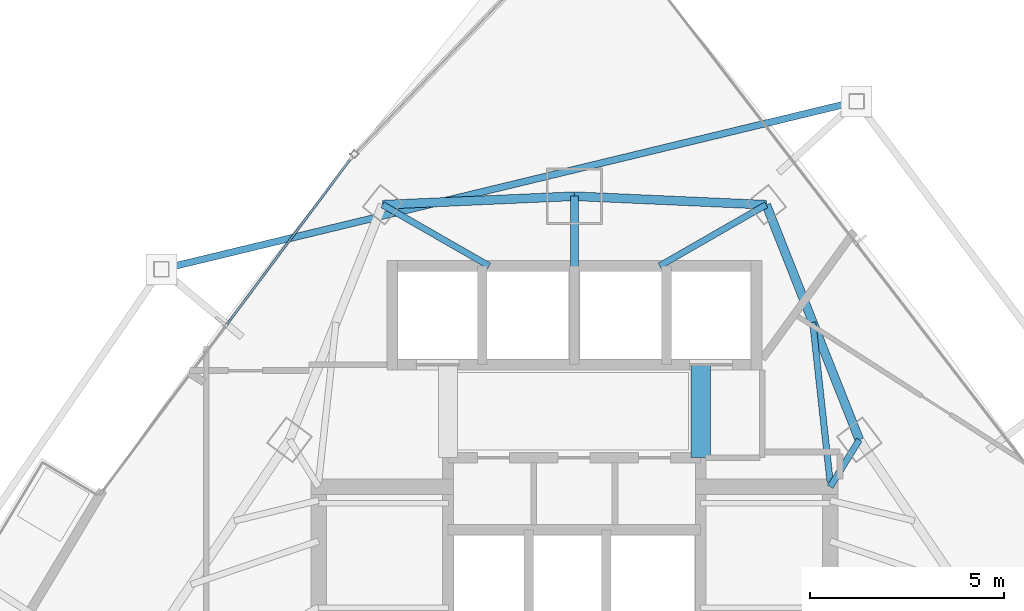
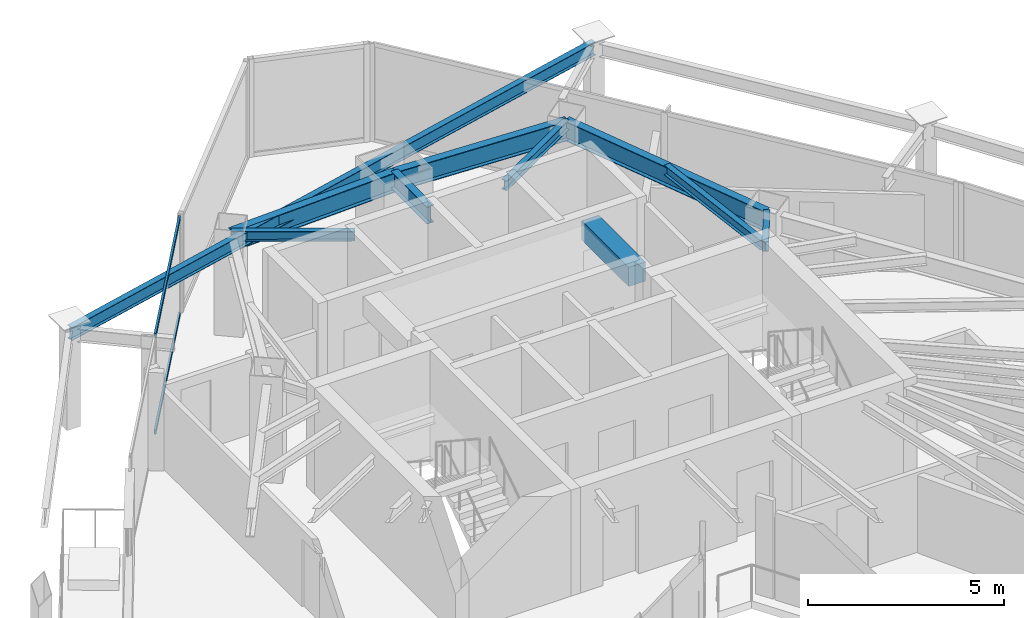
# One storey, part 20 of 29: 10 beams, 2 members, 1 element without a shape of its own.
"""IFC4 building model written with IfcOpenShell, lengths in metres."""

from ifc_helpers import new_model, si_unit, direction, frame, origin, origin_2d, place, context, subcontext, project, spatial, rectangle, hollow_rectangle, i_section, extrude, material, layer, layer_set, material_profile, profile_set, type_object, element, aggregate, save


model = new_model("IFC4")

# Units and contexts
model_context = context("Model", 3, precision=1e-05, world=origin(), true_north=direction((0.0, 1.0)))
body_context = subcontext(model_context, "Body", "Model", "MODEL_VIEW")
ifc_project = project(units=[si_unit("LENGTHUNIT", "METRE"), si_unit("AREAUNIT", "SQUARE_METRE"), si_unit("VOLUMEUNIT", "CUBIC_METRE"), si_unit("PLANEANGLEUNIT", "RADIAN"), si_unit("MASSUNIT", "GRAM", prefix="KILO")], contexts=[model_context])

# Site, building, storey
site_placement = place(None, origin())
site = spatial("IfcSite", under=ifc_project, at=site_placement, CompositionType="ELEMENT")
building_placement = place(site_placement, origin())
building = spatial("IfcBuilding", under=site, at=building_placement, Name="Orvanel Arch Residences", CompositionType="ELEMENT")
storey_placement = place(building_placement, frame((0.0, 0.0, 177.050048828125)))
storey = spatial("IfcBuildingStorey", under=building, at=storey_placement, Name="L50", CompositionType="ELEMENT", Elevation=177.050048828125)

# Beams
ifc_material_1 = material(Name="Structural steel AS/NZS 3679.1 Grade 300 (300 MPa)", Category="steel")
ifc_material_profile_1 = material_profile(ifc_material_1, i_section(OverallWidth=0.208984375, OverallDepth=0.532958984375, WebThickness=0.01025390625, FlangeThickness=0.015625, at=origin_2d()), Name="530UB92.4")
ifc_profile_set_1 = profile_set([ifc_material_profile_1], Name="Structural steel AS/NZS 3679.1 Grade 300 (300 MPa)")
beam_type_1 = type_object("IfcBeamType", Name="BG-530UB", PredefinedType="BEAM", material=ifc_profile_set_1)
beam_1_placement = place(storey_placement, frame((33.0, 39.550048828125, 2.7939453125), z_axis=(0.0, 1.0, 0.0), x_axis=(-1.0, 0.0, 0.0)))
element("IfcBeam", 1, at=beam_1_placement, inside=storey, type_object=beam_type_1, Name="L50 North Radial Girder", PredefinedType="BEAM", context=body_context, shape_type="SweptSolid", body=[
    extrude(i_section(OverallWidth=0.208984375, OverallDepth=0.532958984375, WebThickness=0.01025390625, FlangeThickness=0.015625, at=origin_2d()), origin(), (0.0, 0.0, 1.0), 1.847900390625),
])
ifc_material_profile_2 = material_profile(ifc_material_1, i_section(OverallWidth=0.1650390625, OverallDepth=0.303955078125, WebThickness=0.006103515625, FlangeThickness=0.01025390625, at=origin_2d()), Name="310UB40.4")
ifc_profile_set_2 = profile_set([ifc_material_profile_2], Name="Structural steel AS/NZS 3679.1 Grade 300 (300 MPa)")
beam_type_2 = type_object("IfcBeamType", Name="BJ-310UB", PredefinedType="JOIST", material=ifc_profile_set_2)
beam_2_placement = place(storey_placement, frame((39.60009765625, 33.89990234375, 2.907958984375), z_axis=(0.526843290616, 0.84996243866, 0.0), x_axis=(-0.84996243866, 0.526843290616, 0.0)))
element("IfcBeam", 2, at=beam_2_placement, inside=storey, type_object=beam_type_2, Name="L50 NNE Wing Floor Joist", PredefinedType="JOIST", context=body_context, shape_type="SweptSolid", body=[
    extrude(i_section(OverallWidth=0.1650390625, OverallDepth=0.303955078125, WebThickness=0.006103515625, FlangeThickness=0.01025390625, at=origin_2d()), origin(), (0.0, 0.0, 1.0), 1.42724609375),
])
beam_3_placement = place(storey_placement, frame((39.60009765625, 34.02001953125, 2.907958984375), z_axis=(-0.108261441852, 0.99412245735, 0.0), x_axis=(-0.99412245735, -0.108261441852, 0.0)))
element("IfcBeam", 3, at=beam_3_placement, inside=storey, type_object=beam_type_2, Name="L50 NNE2 Wing Floor Joist", PredefinedType="JOIST", context=body_context, shape_type="SweptSolid", body=[
    extrude(i_section(OverallWidth=0.1650390625, OverallDepth=0.303955078125, WebThickness=0.006103515625, FlangeThickness=0.01025390625, at=origin_2d()), origin(), (0.0, 0.0, 1.0), 4.1494140625),
])
for number, where, z_axis, x_axis, name in (
    (4, (30.800048828125, 39.60009765625, 2.907958984375), (-0.86736513383, 0.497672306458, 0.0), (-0.497672306458, -0.86736513383, 0.0), "L50 MNW Wing Floor Joist"),
    (5, (35.199951171875, 39.60009765625, 2.907958984375), (0.86736513383, 0.497672306458, 0.0), (-0.497672306458, 0.86736513383, 0.0), "L50 MNE Wing Floor Joist"),
):
    element("IfcBeam", number, at=place(storey_placement, frame(where, z_axis=z_axis, x_axis=x_axis)), inside=storey, type_object=beam_type_2, Name=name, PredefinedType="JOIST", context=body_context, shape_type="SweptSolid", body=[
        extrude(i_section(OverallWidth=0.1650390625, OverallDepth=0.303955078125, WebThickness=0.006103515625, FlangeThickness=0.01025390625, at=origin_2d()), origin(), (0.0, 0.0, 1.0), 3.17041015625),
    ])
ifc_material_2 = material(Name="Concrete S65 (65 MPa)", Category="concrete")
ifc_material_profile_3 = material_profile(ifc_material_2, rectangle(XDim=0.5, YDim=0.60009765625, at=origin_2d()), Name="RC500x600")
ifc_profile_set_3 = profile_set([ifc_material_profile_3], Name="Concrete S65 (65 MPa)")
beam_type_3 = type_object("IfcBeamType", Name="CB-500x600", PredefinedType="LINTEL", material=ifc_profile_set_3)
beam_4_placement = place(storey_placement, frame((36.260009765625, 34.64990234375, 2.760009765625), z_axis=(0.0, 1.0, 0.0), x_axis=(-1.0, 0.0, 0.0)))
element("IfcBeam", 6, at=beam_4_placement, inside=storey, type_object=beam_type_3, Name="L50 East Core Lobby Coupling Lintel Beam", PredefinedType="LINTEL", context=body_context, shape_type="SweptSolid", body=[
    extrude(rectangle(XDim=0.5, YDim=0.60009765625, at=origin_2d()), origin(), (0.0, 0.0, 1.0), 2.400146484375),
])
ifc_material_profile_4 = material_profile(ifc_material_1, i_section(OverallWidth=0.177978515625, OverallDepth=0.406005859375, WebThickness=0.0078125, FlangeThickness=0.0126953125, at=origin_2d()), Name="410UB59.7")
ifc_profile_set_4 = profile_set([ifc_material_profile_4], Name="Structural steel AS/NZS 3679.1 Grade 300 (300 MPa)")
beam_type_4 = type_object("IfcBeamType", Name="OB-410UB-EXT", PredefinedType="SPANDREL", material=ifc_profile_set_4)
beam_5_placement = place(storey_placement, frame((40.281982421875, 43.843994140625, 2.85693359375), z_axis=(-0.972058271966, -0.23473967688, 0.0), x_axis=(0.23473967688, -0.972058271966, 0.0)))
element("IfcBeam", 7, at=beam_5_placement, inside=storey, type_object=beam_type_4, Name="L50 Outer Perimeter Floor Ring Beam 12", PredefinedType="SPANDREL", context=body_context, shape_type="SweptSolid", body=[
    extrude(i_section(OverallWidth=0.177978515625, OverallDepth=0.406005859375, WebThickness=0.0078125, FlangeThickness=0.0126953125, at=origin_2d()), origin(), (0.0, 0.0, 1.0), 18.45458984375),
])
ifc_material_profile_5 = material_profile(ifc_material_1, i_section(OverallWidth=0.22900390625, OverallDepth=0.612060546875, WebThickness=0.011962890625, FlangeThickness=0.01953125, at=origin_2d()), Name="610UB125")
ifc_profile_set_5 = profile_set([ifc_material_profile_5], Name="Structural steel AS/NZS 3679.1 Grade 300 (300 MPa)")
beam_type_5 = type_object("IfcBeamType", Name="SP-610UB", PredefinedType="SPANDREL", material=ifc_profile_set_5)
beam_6_placement = place(storey_placement, frame((40.35205078125, 35.113037109375, 2.75390625), z_axis=(-0.368233143579, 0.929733484376, 0.0), x_axis=(-0.929733484376, -0.368233143579, 0.0)))
element("IfcBeam", 8, at=beam_6_placement, inside=storey, type_object=beam_type_5, Name="L50 Perimeter Spandrel Beam 13", PredefinedType="SPANDREL", context=body_context, shape_type="SweptSolid", body=[
    extrude(i_section(OverallWidth=0.22900390625, OverallDepth=0.612060546875, WebThickness=0.011962890625, FlangeThickness=0.01953125, at=origin_2d()), origin(), (0.0, 0.0, 1.0), 6.523193359375),
])
for number, where, z_axis, x_axis, name in (
    (9, (37.949951171875, 41.177978515625, 2.75390625), (-0.999014049296, 0.044395149614, 0.0), (-0.044395149614, -0.999014049296, 0.0), "L50 Perimeter Spandrel Beam 14"),
    (10, (33.0, 41.39794921875, 2.75390625), (-0.999014049296, -0.044395149614, 0.0), (0.044395149614, -0.999014049296, 0.0), "L50 Perimeter Spandrel Beam 15"),
):
    element("IfcBeam", number, at=place(storey_placement, frame(where, z_axis=z_axis, x_axis=x_axis)), inside=storey, type_object=beam_type_5, Name=name, PredefinedType="SPANDREL", context=body_context, shape_type="SweptSolid", body=[
        extrude(i_section(OverallWidth=0.22900390625, OverallDepth=0.612060546875, WebThickness=0.011962890625, FlangeThickness=0.01953125, at=origin_2d()), origin(), (0.0, 0.0, 1.0), 4.954833984375),
    ])

# Curtain wall, members
ifc_material_3 = material(Name="Bronze-anodised aluminium AA6063-T6", Category="aluminium")
ifc_layer = layer(ifc_material_3, 0.179931640625)
ifc_layer_set = layer_set([ifc_layer], Name="Bronze-anodised aluminium AA6063-T6")
curtain_wall_type = type_object("IfcCurtainWallType", Name="CW3-MID-SYS", PredefinedType="NOTDEFINED", material=ifc_layer_set)
curtain_wall_placement = place(storey_placement, origin())
curtain_wall = element("IfcCurtainWall", 11, at=curtain_wall_placement, inside=storey, type_object=curtain_wall_type, Name="L50 CW3-MID-SYS Unitised Curtain Wall", PredefinedType="NOTDEFINED")
ifc_material_profile_6 = material_profile(ifc_material_3, hollow_rectangle(XDim=0.06005859375, YDim=0.135009765625, WallThickness=0.00390625, at=origin_2d()), Name="ALU135x60x4")
ifc_profile_set_6 = profile_set([ifc_material_profile_6], Name="Bronze-anodised aluminium AA6063-T6")
member_type = type_object("IfcMemberType", Name="TRN-135x60", PredefinedType="USERDEFINED", material=ifc_profile_set_6)
member_1_placement = place(storey_placement, frame((27.2060546875, 42.3388671875, 0.030029296875), z_axis=(-0.598279362575, -0.801287591516, 0.0), x_axis=(0.801287591516, -0.598279362575, 0.0)))
member_1 = element("IfcMember", 12, at=member_1_placement, type_object=member_type, Name="CW-S3 transom 1.1", ObjectType="TRANSOM", PredefinedType="USERDEFINED", context=body_context, shape_type="SweptSolid", body=[
    extrude(hollow_rectangle(XDim=0.06005859375, YDim=0.135009765625, WallThickness=0.00390625, at=origin_2d()), origin(), (0.0, 0.0, 1.0), 5.2939453125),
])
member_2_placement = place(storey_placement, frame((27.2060546875, 42.3388671875, 3.030029296875), z_axis=(-0.598279362575, -0.801287591516, 0.0), x_axis=(0.801287591516, -0.598279362575, 0.0)))
member_2 = element("IfcMember", 13, at=member_2_placement, type_object=member_type, Name="CW-S3 transom 1.2", ObjectType="TRANSOM", PredefinedType="USERDEFINED", context=body_context, shape_type="SweptSolid", body=[
    extrude(hollow_rectangle(XDim=0.06005859375, YDim=0.135009765625, WallThickness=0.00390625, at=origin_2d()), origin(), (0.0, 0.0, 1.0), 5.2939453125),
])
aggregate(curtain_wall, [member_1, member_2])

save(model, "model.ifc")
